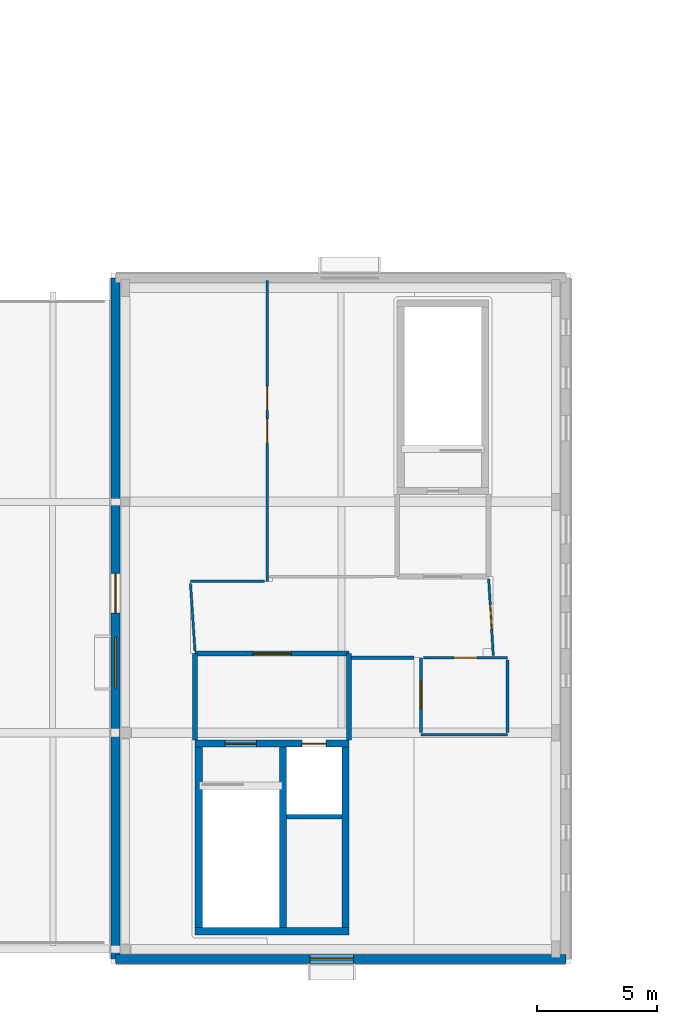
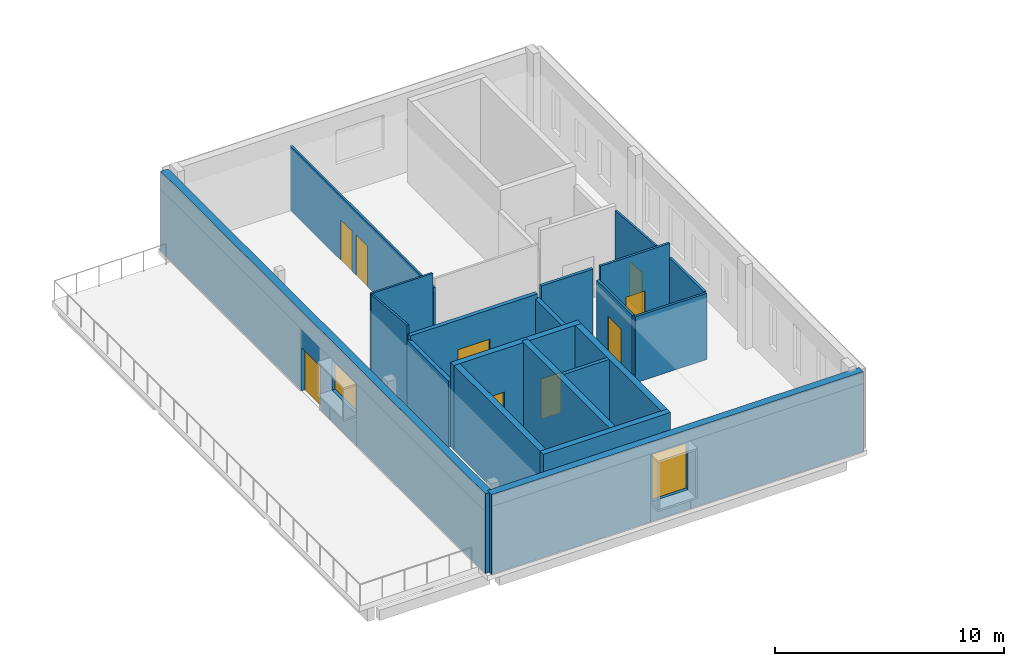
# One storey, part 22 of 41: 20 walls, 9 doors, 2 windows, 11 openings.
"""IFC4 building model written with IfcOpenShell, lengths in metres."""

from ifc_helpers import new_model, si_unit, direction, frame, frame_2d, origin, place, context, subcontext, project, spatial, rectangle, extrude, material, layer, layer_set, type_object, element, fill, save


model = new_model("IFC4")

# Units and contexts
model_context = context("Model", 3, precision=1e-05, world=origin(), true_north=direction((0.0, 1.0)))
body_context = subcontext(model_context, "Body", "Model", "MODEL_VIEW")
ifc_project = project(units=[si_unit("LENGTHUNIT", "METRE"), si_unit("AREAUNIT", "SQUARE_METRE"), si_unit("VOLUMEUNIT", "CUBIC_METRE"), si_unit("PLANEANGLEUNIT", "RADIAN"), si_unit("MASSUNIT", "GRAM", prefix="KILO")], contexts=[model_context])

# Site, building, storey
site_placement = place(None, origin())
site = spatial("IfcSite", under=ifc_project, at=site_placement, CompositionType="ELEMENT")
building_placement = place(site_placement, origin())
building = spatial("IfcBuilding", under=site, at=building_placement, Name="Mzevani Central Library", CompositionType="ELEMENT")
storey_placement = place(building_placement, frame((0.0, 0.0, 13.800048828125)))
storey = spatial("IfcBuildingStorey", under=building, at=storey_placement, Name="L03", CompositionType="ELEMENT", Elevation=13.800048828125)

# Wall
ifc_material_1 = material(Name="Concrete C35/45", Category="concrete")
ifc_layer_1 = layer(ifc_material_1, 0.199951171875, Name="Compartment Wall 200")
ifc_layer_set_1 = layer_set([ifc_layer_1], Name="Concrete C35/45")
wall_type_1 = type_object("IfcWallType", Name="Compartment Wall 200", PredefinedType="STANDARD", material=ifc_layer_set_1)
wall_1_placement = place(storey_placement, frame((38.699951171875, 22.89990234375, 0.0), z_axis=(0.0, 0.0, 1.0), x_axis=(0.0, 1.0, 0.0)))
element("IfcWall", 1, at=wall_1_placement, inside=storey, type_object=wall_type_1, Name="L03 Protected Stair Lobby C4A Enclosure Wall 1", PredefinedType="STANDARD", context=body_context, shape_type="SweptSolid", body=[
    extrude(rectangle(XDim=3.60009765625, YDim=0.199951171875, at=frame_2d((1.800048828125, 0.0))), origin(), (0.0, 0.0, 1.0), 3.52001953125),
])

# Wall, opening, door
wall_2_placement = place(storey_placement, frame((38.699951171875, 26.5, 0.0), z_axis=(0.0, 0.0, 1.0), x_axis=(1.0, 0.0, 0.0)))
wall_2 = element("IfcWall", 2, at=wall_2_placement, inside=storey, type_object=wall_type_1, Name="L03 Protected Stair Lobby C4A Enclosure Wall 2", PredefinedType="STANDARD", context=body_context, shape_type="SweptSolid", body=[
    extrude(rectangle(XDim=6.400146484375, YDim=0.199951171875, at=frame_2d((3.2001953125, 0.0))), origin(), (0.0, 0.0, 1.0), 3.77001953125),
])
opening_1_placement = place(wall_2_placement, frame((2.39990234375, 0.0, 0.0)))
opening_1 = element("IfcOpeningElement", 3, at=opening_1_placement, cuts=wall_2, Name="Opening FD-02", PredefinedType="OPENING", context=body_context, shape_type="SweptSolid", body=[
    extrude(rectangle(XDim=1.60009765625, YDim=2.199951171875, at=frame_2d((0.800048828125, 1.10009765625))), frame((0.0, 0.10986328125, 0.0), z_axis=(0.0, -1.0, 0.0), x_axis=(1.0, 0.0, 0.0)), (0.0, 0.0, 1.0), 0.219970703125),
])
ifc_material_2 = material(Name="Fire-rated steel door assembly", Category="steel")
door_type_1 = type_object("IfcDoorType", Name="Fire Lobby Double Door 1600x2200", OperationType="NOTDEFINED", PredefinedType="DOOR", material=ifc_material_2)
door_1_placement = place(opening_1_placement, origin())
door_1 = element("IfcDoor", 4, at=door_1_placement, inside=storey, type_object=door_type_1, Name="L03 Protected Stair Lobby C4A Smoke-Control Door", OperationType="DOUBLE_DOOR_SINGLE_SWING", OverallHeight=2.199951171875, OverallWidth=1.60009765625, PredefinedType="DOOR", context=body_context, shape_type="SweptSolid", body=[
    extrude(rectangle(XDim=1.60009765625, YDim=2.199951171875, at=frame_2d((0.800048828125, 1.10009765625))), frame((0.0, 0.02490234375, 0.0), z_axis=(0.0, -1.0, 0.0), x_axis=(1.0, 0.0, 0.0)), (0.0, 0.0, 1.0), 0.050048828125),
])
fill(opening_1, door_1)

# Walls
wall_3_placement = place(storey_placement, frame((45.10009765625, 26.5, 0.0), z_axis=(0.0, 0.0, 1.0), x_axis=(0.0, -1.0, 0.0)))
element("IfcWall", 5, at=wall_3_placement, inside=storey, type_object=wall_type_1, Name="L03 Protected Stair Lobby C4A Enclosure Wall 3", PredefinedType="STANDARD", context=body_context, shape_type="SweptSolid", body=[
    extrude(rectangle(XDim=3.60009765625, YDim=0.199951171875, at=frame_2d((1.800048828125, 0.0))), origin(), (0.0, 0.0, 1.0), 3.52001953125),
])
ifc_material_3 = material(Name="Concrete C40/50", Category="concrete")
ifc_layer_2 = layer(ifc_material_3, 0.300048828125, Name="Core Shear Wall 300")
ifc_layer_set_2 = layer_set([ifc_layer_2], Name="Concrete C40/50")
wall_type_2 = type_object("IfcWallType", Name="Core Shear Wall 300", PredefinedType="SHEAR", material=ifc_layer_set_2)
wall_4_placement = place(storey_placement, frame((45.10009765625, 14.949951171875, 0.0), z_axis=(0.0, 0.0, 1.0), x_axis=(-1.0, 0.0, 0.0)))
element("IfcWall", 6, at=wall_4_placement, inside=storey, type_object=wall_type_2, Name="L03 Core C4A Cultural Wing Core Shear Wall (-y)", PredefinedType="SHEAR", context=body_context, shape_type="SweptSolid", body=[
    extrude(rectangle(XDim=6.400146484375, YDim=0.300048828125, at=frame_2d((3.2001953125, 0.0))), origin(), (0.0, 0.0, 1.0), 4.5),
])
wall_5_placement = place(storey_placement, frame((38.85009765625, 14.800048828125, 0.0), z_axis=(0.0, 0.0, 1.0), x_axis=(0.0, 1.0, 0.0)))
element("IfcWall", 7, at=wall_5_placement, inside=storey, type_object=wall_type_2, Name="L03 Core C4A Cultural Wing Core Shear Wall (-x)", PredefinedType="SHEAR", context=body_context, shape_type="SweptSolid", body=[
    extrude(rectangle(XDim=8.099853515625, YDim=0.300048828125, at=frame_2d((4.0498046875, 0.0))), origin(), (0.0, 0.0, 1.0), 4.5),
])

# Wall, openings, doors
wall_6_placement = place(storey_placement, frame((38.699951171875, 22.75, 0.0), z_axis=(0.0, 0.0, 1.0), x_axis=(1.0, 0.0, 0.0)))
wall_6 = element("IfcWall", 8, at=wall_6_placement, inside=storey, type_object=wall_type_2, Name="L03 Core C4A Cultural Wing Core Shear Wall (+y)", PredefinedType="SHEAR", context=body_context, shape_type="SweptSolid", body=[
    extrude(rectangle(XDim=6.400146484375, YDim=0.300048828125, at=frame_2d((3.2001953125, 0.0))), origin(), (0.0, 0.0, 1.0), 4.5),
])
opening_2_placement = place(wall_6_placement, frame((1.25, 0.0, 0.0)))
opening_2 = element("IfcOpeningElement", 9, at=opening_2_placement, cuts=wall_6, Name="Opening FD-01", PredefinedType="OPENING", context=body_context, shape_type="SweptSolid", body=[
    extrude(rectangle(XDim=1.300048828125, YDim=2.199951171875, at=frame_2d((0.64990234375, 1.10009765625))), frame((0.0, 0.16015625, 0.0), z_axis=(0.0, -1.0, 0.0), x_axis=(1.0, 0.0, 0.0)), (0.0, 0.0, 1.0), 0.320068359375),
])
opening_3_placement = place(wall_6_placement, frame((4.449951171875, 0.0, 0.0)))
opening_3 = element("IfcOpeningElement", 10, at=opening_3_placement, cuts=wall_6, Name="Opening LD-01", PredefinedType="OPENING", context=body_context, shape_type="SweptSolid", body=[
    extrude(rectangle(XDim=1.0, YDim=2.14990234375, at=frame_2d((0.5, 1.074951171875))), frame((0.0, 0.16015625, 0.0), z_axis=(0.0, -1.0, 0.0), x_axis=(1.0, 0.0, 0.0)), (0.0, 0.0, 1.0), 0.320068359375),
])
door_type_2 = type_object("IfcDoorType", Name="Fire Stair Door 1300x2200", OperationType="NOTDEFINED", PredefinedType="DOOR", material=ifc_material_2)
door_2_placement = place(opening_2_placement, origin())
door_2 = element("IfcDoor", 11, at=door_2_placement, inside=storey, type_object=door_type_2, Name="L03 ST-07 Protected Exit Stair Door", OperationType="SINGLE_SWING_RIGHT", OverallHeight=2.199951171875, OverallWidth=1.300048828125, PredefinedType="DOOR", context=body_context, shape_type="SweptSolid", body=[
    extrude(rectangle(XDim=1.300048828125, YDim=2.199951171875, at=frame_2d((0.64990234375, 1.10009765625))), frame((0.0, 0.02490234375, 0.0), z_axis=(0.0, -1.0, 0.0), x_axis=(1.0, 0.0, 0.0)), (0.0, 0.0, 1.0), 0.050048828125),
])
fill(opening_2, door_2)
ifc_material_4 = material(Name="Brushed stainless steel door", Category="steel")
door_type_3 = type_object("IfcDoorType", Name="Passenger Lift Landing Door 1000x2150", OperationType="NOTDEFINED", PredefinedType="DOOR", material=ifc_material_4)
door_3_placement = place(opening_3_placement, origin())
door_3 = element("IfcDoor", 12, at=door_3_placement, inside=storey, type_object=door_type_3, Name="L03 Lift LF-P3 Sliding Landing Door", OperationType="SLIDING_TO_LEFT", OverallHeight=2.14990234375, OverallWidth=1.0, PredefinedType="DOOR", context=body_context, shape_type="SweptSolid", body=[
    extrude(rectangle(XDim=1.0, YDim=2.14990234375, at=frame_2d((0.5, 1.074951171875))), frame((0.0, 0.02490234375, 0.0), z_axis=(0.0, -1.0, 0.0), x_axis=(1.0, 0.0, 0.0)), (0.0, 0.0, 1.0), 0.050048828125),
])
fill(opening_3, door_3)

# Walls
wall_7_placement = place(storey_placement, frame((44.949951171875, 22.89990234375, 0.0), z_axis=(0.0, 0.0, 1.0), x_axis=(0.0, -1.0, 0.0)))
element("IfcWall", 13, at=wall_7_placement, inside=storey, type_object=wall_type_2, Name="L03 Core C4A Cultural Wing Core Shear Wall (+x)", PredefinedType="SHEAR", context=body_context, shape_type="SweptSolid", body=[
    extrude(rectangle(XDim=8.099853515625, YDim=0.300048828125, at=frame_2d((4.0498046875, 0.0))), origin(), (0.0, 0.0, 1.0), 4.5),
])
wall_8_placement = place(storey_placement, frame((42.35009765625, 14.949951171875, 0.0), z_axis=(0.0, 0.0, 1.0), x_axis=(0.0, 1.0, 0.0)))
element("IfcWall", 14, at=wall_8_placement, inside=storey, type_object=wall_type_2, Name="L03 Core C4A Cultural Wing Core Hoistway Shear Wall", PredefinedType="SHEAR", context=body_context, shape_type="SweptSolid", body=[
    extrude(rectangle(XDim=7.800048828125, YDim=0.300048828125, at=frame_2d((3.89990234375, 0.0))), origin(), (0.0, 0.0, 1.0), 4.5),
])

# Wall, opening, window
ifc_material_5 = material(Name="Precast concrete C40/50", Category="concrete")
ifc_layer_3 = layer(ifc_material_5, 0.3798828125, Name="Exterior Thermal Concrete Wall 380")
ifc_layer_set_3 = layer_set([ifc_layer_3], Name="Precast concrete C40/50")
wall_type_3 = type_object("IfcWallType", Name="Exterior Thermal Concrete Wall 380", PredefinedType="STANDARD", material=ifc_layer_set_3)
wall_9_placement = place(storey_placement, frame((54.110107421875, 13.7900390625, 0.0), z_axis=(0.0, 0.0, 1.0), x_axis=(-1.0, 0.0, 0.0)))
wall_9 = element("IfcWall", 15, at=wall_9_placement, inside=storey, type_object=wall_type_3, Name="L03 V4 Exterior Thermal Wall (84)", PredefinedType="STANDARD", context=body_context, shape_type="SweptSolid", body=[
    extrude(rectangle(XDim=18.72021484375, YDim=0.3798828125, at=frame_2d((9.360107421875, 0.0))), origin(), (0.0, 0.0, 1.0), 4.239990234375),
])
opening_4_placement = place(wall_9_placement, frame((8.83447265625, 0.0, 1.050048828125)))
opening_4 = element("IfcOpeningElement", 16, at=opening_4_placement, cuts=wall_9, Name="Opening W-15", PredefinedType="OPENING", context=body_context, shape_type="SweptSolid", body=[
    extrude(rectangle(XDim=1.800048828125, YDim=2.5, at=frame_2d((0.89990234375, 1.25))), frame((0.0, 0.199951171875, 0.0), z_axis=(0.0, -1.0, 0.0), x_axis=(1.0, 0.0, 0.0)), (0.0, 0.0, 1.0), 0.39990234375),
])
ifc_material_6 = material(Name="Low-E triple glazing glass", Category="glass")
window_type_1 = type_object("IfcWindowType", Name="Deep Reveal Window 1800x2500", PartitioningType="SINGLE_PANEL", PredefinedType="WINDOW", material=ifc_material_6)
window_1_placement = place(opening_4_placement, origin())
window_1 = element("IfcWindow", 17, at=window_1_placement, inside=storey, type_object=window_type_1, Name="L03 V4 Deep-Reveal Window W-15 (175)", OverallHeight=2.5, OverallWidth=1.800048828125, PartitioningType="SINGLE_PANEL", PredefinedType="WINDOW", context=body_context, shape_type="SweptSolid", body=[
    extrude(rectangle(XDim=1.800048828125, YDim=2.5, at=frame_2d((0.89990234375, 1.25))), frame((0.0, 0.030029296875, 0.0), z_axis=(0.0, -1.0, 0.0), x_axis=(1.0, 0.0, 0.0)), (0.0, 0.0, 1.0), 0.06005859375),
])
fill(opening_4, window_1)

# Wall, openings, window, door
wall_10_placement = place(storey_placement, frame((35.389892578125, 13.7900390625, 0.0), z_axis=(0.0, 0.0, 1.0), x_axis=(0.0, 1.0, 0.0)))
wall_10 = element("IfcWall", 18, at=wall_10_placement, inside=storey, type_object=wall_type_3, Name="L03 V4 Exterior Thermal Wall (85)", PredefinedType="STANDARD", context=body_context, shape_type="SweptSolid", body=[
    extrude(rectangle(XDim=28.320068359375, YDim=0.3798828125, at=frame_2d((14.16015625, 0.0))), origin(), (0.0, 0.0, 1.0), 4.239990234375),
])
opening_5_placement = place(wall_10_placement, frame((14.385009765625, 0.0, 0.0)))
opening_5 = element("IfcOpeningElement", 19, at=opening_5_placement, cuts=wall_10, Name="Opening ED-02", PredefinedType="OPENING", context=body_context, shape_type="SweptSolid", body=[
    extrude(rectangle(XDim=1.64990234375, YDim=2.300048828125, at=frame_2d((0.824951171875, 1.14990234375))), frame((0.0, 0.199951171875, 0.0), z_axis=(0.0, -1.0, 0.0), x_axis=(1.0, 0.0, 0.0)), (0.0, 0.0, 1.0), 0.39990234375),
])
opening_6_placement = place(wall_10_placement, frame((11.2763671875, 0.0, 1.64990234375)))
opening_6 = element("IfcOpeningElement", 20, at=opening_6_placement, cuts=wall_10, Name="Opening W-16", PredefinedType="OPENING", context=body_context, shape_type="SweptSolid", body=[
    extrude(rectangle(XDim=2.10009765625, YDim=1.60009765625, at=frame_2d((1.050048828125, 0.800048828125))), frame((0.0, 0.199951171875, 0.0), z_axis=(0.0, -1.0, 0.0), x_axis=(1.0, 0.0, 0.0)), (0.0, 0.0, 1.0), 0.39990234375),
])
window_type_2 = type_object("IfcWindowType", Name="Reading Clerestory Window 2100x1600", PartitioningType="SINGLE_PANEL", PredefinedType="WINDOW", material=ifc_material_6)
window_2_placement = place(opening_6_placement, origin())
window_2 = element("IfcWindow", 21, at=window_2_placement, inside=storey, type_object=window_type_2, Name="L03 V4 Deep-Reveal Window W-16 (176)", OverallHeight=1.60009765625, OverallWidth=2.10009765625, PartitioningType="SINGLE_PANEL", PredefinedType="WINDOW", context=body_context, shape_type="SweptSolid", body=[
    extrude(rectangle(XDim=2.10009765625, YDim=1.60009765625, at=frame_2d((1.050048828125, 0.800048828125))), frame((0.0, 0.030029296875, 0.0), z_axis=(0.0, -1.0, 0.0), x_axis=(1.0, 0.0, 0.0)), (0.0, 0.0, 1.0), 0.06005859375),
])
fill(opening_6, window_2)
ifc_material_7 = material(Name="Anodized architectural bronze")
door_type_4 = type_object("IfcDoorType", Name="Roof Garden Terrace Door 1650x2300", OperationType="NOTDEFINED", PredefinedType="DOOR", material=ifc_material_7)
door_4_placement = place(opening_5_placement, origin())
door_4 = element("IfcDoor", 22, at=door_4_placement, inside=storey, type_object=door_type_4, Name="L03 Cultural Wing Planted Roof Garden Terrace Access Door", OperationType="SINGLE_SWING_LEFT", OverallHeight=2.300048828125, OverallWidth=1.64990234375, PredefinedType="DOOR", context=body_context, shape_type="SweptSolid", body=[
    extrude(rectangle(XDim=1.64990234375, YDim=2.300048828125, at=frame_2d((0.824951171875, 1.14990234375))), frame((0.0, 0.02490234375, 0.0), z_axis=(0.0, -1.0, 0.0), x_axis=(1.0, 0.0, 0.0)), (0.0, 0.0, 1.0), 0.050048828125),
])
fill(opening_5, door_4)

# Wall
ifc_material_8 = material(Name="Fire-rated gypsum board", Category="gypsum")
ifc_layer_4 = layer(ifc_material_8, 0.1201171875, Name="Partition Acoustic 120")
ifc_layer_set_4 = layer_set([ifc_layer_4], Name="Fire-rated gypsum board")
wall_type_4 = type_object("IfcWallType", Name="Partition Acoustic 120", PredefinedType="PARTITIONING", material=ifc_layer_set_4)
wall_11_placement = place(storey_placement, frame((51.68994140625, 23.1201171875, 0.0), z_axis=(0.0, 0.0, 1.0), x_axis=(-1.0, 0.0, 0.0)))
element("IfcWall", 23, at=wall_11_placement, inside=storey, type_object=wall_type_4, Name="L03 V4 Partition IW-02 (543)", PredefinedType="PARTITIONING", context=body_context, shape_type="SweptSolid", body=[
    extrude(rectangle(XDim=3.599853515625, YDim=0.1201171875, at=frame_2d((1.7998046875, 0.0))), origin(), (0.0, 0.0, 1.0), 3.52001953125),
])

# Wall, opening, door
wall_12_placement = place(storey_placement, frame((48.090087890625, 23.219970703125, 0.0), z_axis=(0.0, 0.0, 1.0), x_axis=(0.0, 1.0, 0.0)))
wall_12 = element("IfcWall", 24, at=wall_12_placement, inside=storey, type_object=wall_type_4, Name="L03 V4 Partition IW-02 (544)", PredefinedType="PARTITIONING", context=body_context, shape_type="SweptSolid", body=[
    extrude(rectangle(XDim=3.10009765625, YDim=0.1201171875, at=frame_2d((1.550048828125, 0.0))), origin(), (0.0, 0.0, 1.0), 3.52001953125),
])
opening_7_placement = place(wall_12_placement, frame((0.97509765625, 0.0, 0.0)))
opening_7 = element("IfcOpeningElement", 25, at=opening_7_placement, cuts=wall_12, Name="Opening ID-09", PredefinedType="OPENING", context=body_context, shape_type="SweptSolid", body=[
    extrude(rectangle(XDim=1.14990234375, YDim=2.199951171875, at=frame_2d((0.574951171875, 1.10009765625))), frame((0.0, 0.070068359375, 0.0), z_axis=(0.0, -1.0, 0.0), x_axis=(1.0, 0.0, 0.0)), (0.0, 0.0, 1.0), 0.14013671875),
])
ifc_material_9 = material(Name="Fire-rated solid oak leaf")
door_type_5 = type_object("IfcDoorType", Name="Community Room Door 1150x2200", OperationType="NOTDEFINED", PredefinedType="DOOR", material=ifc_material_9)
door_5_placement = place(opening_7_placement, origin())
door_5 = element("IfcDoor", 26, at=door_5_placement, inside=storey, type_object=door_type_5, Name="L03 Staff Lounge and Terrace Room Door", OperationType="SINGLE_SWING_LEFT", OverallHeight=2.199951171875, OverallWidth=1.14990234375, PredefinedType="DOOR", context=body_context, shape_type="SweptSolid", body=[
    extrude(rectangle(XDim=1.14990234375, YDim=2.199951171875, at=frame_2d((0.574951171875, 1.10009765625))), frame((0.0, 0.02490234375, 0.0), z_axis=(0.0, -1.0, 0.0), x_axis=(1.0, 0.0, 0.0)), (0.0, 0.0, 1.0), 0.050048828125),
])
fill(opening_7, door_5)

wall_13_placement = place(storey_placement, frame((48.18994140625, 26.320068359375, 0.0), z_axis=(0.0, 0.0, 1.0), x_axis=(1.0, 0.0, 0.0)))
wall_13 = element("IfcWall", 27, at=wall_13_placement, inside=storey, type_object=wall_type_4, Name="L03 V4 Partition IW-02 (545)", PredefinedType="PARTITIONING", context=body_context, shape_type="SweptSolid", body=[
    extrude(rectangle(XDim=3.5, YDim=0.1201171875, at=frame_2d((1.75, 0.0))), origin(), (0.0, 0.0, 1.0), 4.239990234375),
])
opening_8_placement = place(wall_13_placement, frame((1.27490234375, 0.0, 0.0)))
opening_8 = element("IfcOpeningElement", 28, at=opening_8_placement, cuts=wall_13, Name="Opening ID-02", PredefinedType="OPENING", context=body_context, shape_type="SweptSolid", body=[
    extrude(rectangle(XDim=0.949951171875, YDim=2.14990234375, at=frame_2d((0.47509765625, 1.074951171875))), frame((0.0, 0.070068359375, 0.0), z_axis=(0.0, -1.0, 0.0), x_axis=(1.0, 0.0, 0.0)), (0.0, 0.0, 1.0), 0.14013671875),
])
door_type_6 = type_object("IfcDoorType", Name="Accessible WC Door 950x2150", OperationType="NOTDEFINED", PredefinedType="DOOR", material=ifc_material_9)
door_6_placement = place(opening_8_placement, origin())
door_6 = element("IfcDoor", 29, at=door_6_placement, inside=storey, type_object=door_type_6, Name="L03 Accessible WC and Public Toilet V4 Door", OperationType="SINGLE_SWING_RIGHT", OverallHeight=2.14990234375, OverallWidth=0.949951171875, PredefinedType="DOOR", context=body_context, shape_type="SweptSolid", body=[
    extrude(rectangle(XDim=0.949951171875, YDim=2.14990234375, at=frame_2d((0.47509765625, 1.074951171875))), frame((0.0, 0.02490234375, 0.0), z_axis=(0.0, -1.0, 0.0), x_axis=(1.0, 0.0, 0.0)), (0.0, 0.0, 1.0), 0.050048828125),
])
fill(opening_8, door_6)

# Wall
wall_14_placement = place(storey_placement, frame((51.68994140625, 26.219970703125, 0.0), z_axis=(0.0, 0.0, 1.0), x_axis=(0.0, -1.0, 0.0)))
element("IfcWall", 30, at=wall_14_placement, inside=storey, type_object=wall_type_4, Name="L03 V4 Partition IW-02 (546)", PredefinedType="PARTITIONING", context=body_context, shape_type="SweptSolid", body=[
    extrude(rectangle(XDim=3.0, YDim=0.1201171875, at=frame_2d((1.5, 0.0))), origin(), (0.0, 0.0, 1.0), 3.52001953125),
])

# Wall, openings, doors
ifc_layer_5 = layer(ifc_material_8, 0.10009765625, Name="Partition Gypsum 100")
ifc_layer_set_5 = layer_set([ifc_layer_5], Name="Fire-rated gypsum board")
wall_type_5 = type_object("IfcWallType", Name="Partition Gypsum 100", PredefinedType="PARTITIONING", material=ifc_layer_set_5)
wall_15_placement = place(storey_placement, frame((41.693359375, 42.010009765625, 0.0), z_axis=(0.0, 0.0, 1.0), x_axis=(0.0, -1.0, 0.0)))
wall_15 = element("IfcWall", 31, at=wall_15_placement, inside=storey, type_object=wall_type_5, Name="L03 V4 Partition IW-01 (547)", PredefinedType="PARTITIONING", context=body_context, shape_type="SweptSolid", body=[
    extrude(rectangle(XDim=12.510009765625, YDim=0.10009765625, at=frame_2d((6.2548828125, 0.0))), origin(), (0.0, 0.0, 1.0), 3.419921875),
])
opening_9_placement = place(wall_15_placement, frame((5.7548828125, 0.0, 0.0)))
opening_9 = element("IfcOpeningElement", 32, at=opening_9_placement, cuts=wall_15, Name="Opening ID-04", PredefinedType="OPENING", context=body_context, shape_type="SweptSolid", body=[
    extrude(rectangle(XDim=1.0, YDim=2.14990234375, at=frame_2d((0.5, 1.074951171875))), frame((0.0, 0.06005859375, 0.0), z_axis=(0.0, -1.0, 0.0), x_axis=(1.0, 0.0, 0.0)), (0.0, 0.0, 1.0), 0.1201171875),
])
opening_10_placement = place(wall_15_placement, frame((4.405029296875, 0.0, 0.0)))
opening_10 = element("IfcOpeningElement", 33, at=opening_10_placement, cuts=wall_15, Name="Opening ID-04", PredefinedType="OPENING", context=body_context, shape_type="SweptSolid", body=[
    extrude(rectangle(XDim=1.0, YDim=2.14990234375, at=frame_2d((0.5, 1.074951171875))), frame((0.0, 0.06005859375, 0.0), z_axis=(0.0, -1.0, 0.0), x_axis=(1.0, 0.0, 0.0)), (0.0, 0.0, 1.0), 0.1201171875),
])
door_type_7 = type_object("IfcDoorType", Name="Staff Office Door 1000x2150", OperationType="NOTDEFINED", PredefinedType="DOOR", material=ifc_material_9)
door_7_placement = place(opening_9_placement, origin())
door_7 = element("IfcDoor", 34, at=door_7_placement, inside=storey, type_object=door_type_7, Name="L03 Library Director and Boardroom Suite Door", OperationType="SINGLE_SWING_LEFT", OverallHeight=2.14990234375, OverallWidth=1.0, PredefinedType="DOOR", context=body_context, shape_type="SweptSolid", body=[
    extrude(rectangle(XDim=1.0, YDim=2.14990234375, at=frame_2d((0.5, 1.074951171875))), frame((0.0, 0.02490234375, 0.0), z_axis=(0.0, -1.0, 0.0), x_axis=(1.0, 0.0, 0.0)), (0.0, 0.0, 1.0), 0.050048828125),
])
fill(opening_9, door_7)
door_8_placement = place(opening_10_placement, origin())
door_8 = element("IfcDoor", 35, at=door_8_placement, inside=storey, type_object=door_type_7, Name="L03 Administration and Finance Office Door", OperationType="SINGLE_SWING_RIGHT", OverallHeight=2.14990234375, OverallWidth=1.0, PredefinedType="DOOR", context=body_context, shape_type="SweptSolid", body=[
    extrude(rectangle(XDim=1.0, YDim=2.14990234375, at=frame_2d((0.5, 1.074951171875))), frame((0.0, 0.02490234375, 0.0), z_axis=(0.0, -1.0, 0.0), x_axis=(1.0, 0.0, 0.0)), (0.0, 0.0, 1.0), 0.050048828125),
])
fill(opening_10, door_8)

# Walls
wall_16_placement = place(storey_placement, frame((41.59326171875, 29.5, 0.0), z_axis=(0.0, 0.0, 1.0), x_axis=(-1.0, 0.0, 0.0)))
element("IfcWall", 36, at=wall_16_placement, inside=storey, type_object=wall_type_5, Name="L03 V4 Partition IW-01 (548)", PredefinedType="PARTITIONING", context=body_context, shape_type="SweptSolid", body=[
    extrude(rectangle(XDim=3.09326171875, YDim=0.10009765625, at=frame_2d((1.546630859375, 0.0))), origin(), (0.0, 0.0, 1.0), 4.239990234375),
])
wall_17_placement = place(storey_placement, frame((38.506591796875, 29.400146484375, 0.0), z_axis=(0.0, 0.0, 1.0), x_axis=(0.066547879088, -0.997783232866, 0.0)))
element("IfcWall", 37, at=wall_17_placement, inside=storey, type_object=wall_type_5, Name="L03 V4 Partition IW-01 (549)", PredefinedType="PARTITIONING", context=body_context, shape_type="SweptSolid", body=[
    extrude(rectangle(XDim=2.806396484375, YDim=0.10009765625, at=frame_2d((1.4033203125, 0.0))), origin(), (0.0, 0.0, 1.0), 4.239990234375),
])

# Wall, opening, door
wall_18_placement = place(storey_placement, frame((51.093994140625, 26.419921875, 0.0), z_axis=(0.0, 0.0, 1.0), x_axis=(-0.059009535749, 0.998257419051, 0.0)))
wall_18 = element("IfcWall", 38, at=wall_18_placement, inside=storey, type_object=wall_type_5, Name="L03 V4 Partition IW-01 (552)", PredefinedType="PARTITIONING", context=body_context, shape_type="SweptSolid", body=[
    extrude(rectangle(XDim=3.185791015625, YDim=0.10009765625, at=frame_2d((1.5927734375, 0.0))), origin(), (0.0, 0.0, 1.0), 4.239990234375),
])
opening_11_placement = place(wall_18_placement, frame((1.093017578125, 0.0, 0.0)))
opening_11 = element("IfcOpeningElement", 39, at=opening_11_placement, cuts=wall_18, Name="Opening ID-04", PredefinedType="OPENING", context=body_context, shape_type="SweptSolid", body=[
    extrude(rectangle(XDim=1.0, YDim=2.14990234375, at=frame_2d((0.5, 1.074951171875))), frame((0.0, 0.06005859375, 0.0), z_axis=(0.0, -1.0, 0.0), x_axis=(1.0, 0.0, 0.0)), (0.0, 0.0, 1.0), 0.1201171875),
])
door_9_placement = place(opening_11_placement, origin())
door_9 = element("IfcDoor", 40, at=door_9_placement, inside=storey, type_object=door_type_7, Name="L03 Library Director and Boardroom Suite 2 Door", OperationType="SINGLE_SWING_RIGHT", OverallHeight=2.14990234375, OverallWidth=1.0, PredefinedType="DOOR", context=body_context, shape_type="SweptSolid", body=[
    extrude(rectangle(XDim=1.0, YDim=2.14990234375, at=frame_2d((0.5, 1.074951171875))), frame((0.0, 0.02490234375, 0.0), z_axis=(0.0, -1.0, 0.0), x_axis=(1.0, 0.0, 0.0)), (0.0, 0.0, 1.0), 0.050048828125),
])
fill(opening_11, door_9)

# Walls
ifc_layer_6 = layer(ifc_material_8, 0.14990234375, Name="Partition Study 150")
ifc_layer_set_6 = layer_set([ifc_layer_6], Name="Fire-rated gypsum board")
wall_type_6 = type_object("IfcWallType", Name="Partition Study 150", PredefinedType="PARTITIONING", material=ifc_layer_set_6)
wall_19_placement = place(storey_placement, frame((45.199951171875, 26.320068359375, 0.0), z_axis=(0.0, 0.0, 1.0), x_axis=(1.0, 0.0, 0.0)))
element("IfcWall", 41, at=wall_19_placement, inside=storey, type_object=wall_type_6, Name="L03 V4 Partition IW-03 (551)", PredefinedType="PARTITIONING", context=body_context, shape_type="SweptSolid", body=[
    extrude(rectangle(XDim=2.606689453125, YDim=0.14990234375, at=frame_2d((1.30322265625, 0.0))), origin(), (0.0, 0.0, 1.0), 4.239990234375),
])
ifc_material_10 = material(Name="Concrete blockwork masonry", Category="masonry")
ifc_layer_7 = layer(ifc_material_10, 0.179931640625, Name="Shaft Enclosure Wall 180")
ifc_layer_set_7 = layer_set([ifc_layer_7], Name="Concrete blockwork masonry")
wall_type_7 = type_object("IfcWallType", Name="Shaft Enclosure Wall 180", PredefinedType="PARTITIONING", material=ifc_layer_set_7)
wall_20_placement = place(storey_placement, frame((42.5, 19.7099609375, 0.0), z_axis=(0.0, 0.0, 1.0), x_axis=(1.0, 0.0, 0.0)))
element("IfcWall", 42, at=wall_20_placement, inside=storey, type_object=wall_type_7, Name="L03 Lift LF-P3 Hoistway Enclosure Wall", PredefinedType="PARTITIONING", context=body_context, shape_type="SweptSolid", body=[
    extrude(rectangle(XDim=2.300048828125, YDim=0.179931640625, at=frame_2d((1.14990234375, 0.0))), origin(), (0.0, 0.0, 1.0), 4.5),
])

save(model, "model.ifc")
